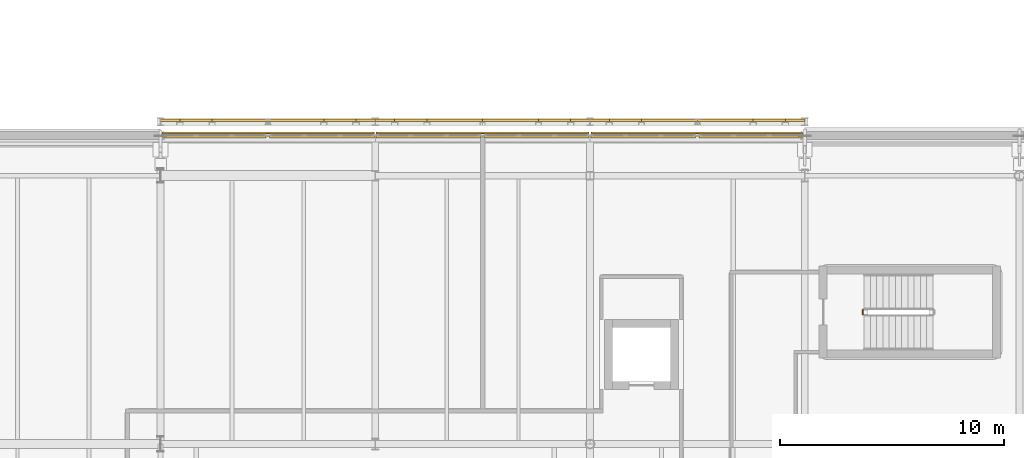
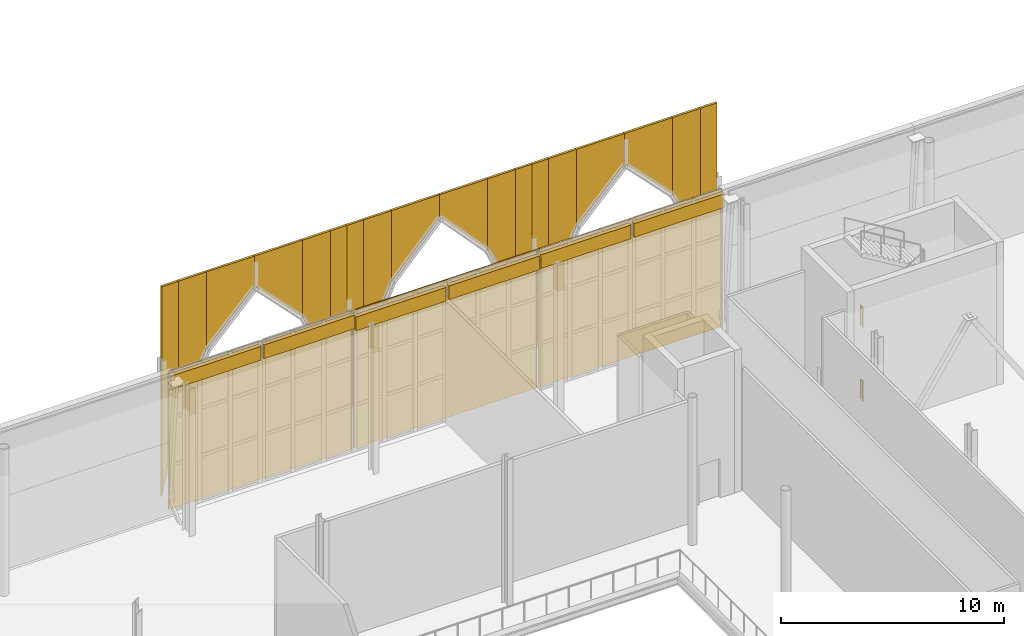
# One storey, part 73 of 79: 24 coverings, 3 shading devices, 2 railings.
"""IFC4 building model written with IfcOpenShell, lengths in metres."""

from ifc_helpers import new_model, si_unit, direction, frame, origin, origin_2d, place, context, subcontext, project, spatial, polyline, rectangle, circle, outline, extrude, material, layer, layer_set, type_object, element, save


model = new_model("IFC4")

# Units and contexts
model_context = context("Model", 3, precision=1e-05, world=origin(), true_north=direction((0.0, 1.0)))
body_context = subcontext(model_context, "Body", "Model", "MODEL_VIEW")
ifc_project = project(units=[si_unit("LENGTHUNIT", "METRE"), si_unit("AREAUNIT", "SQUARE_METRE"), si_unit("VOLUMEUNIT", "CUBIC_METRE"), si_unit("PLANEANGLEUNIT", "RADIAN"), si_unit("MASSUNIT", "GRAM", prefix="KILO")], contexts=[model_context])

# Site, building, storey
site_placement = place(None, origin())
site = spatial("IfcSite", under=ifc_project, at=site_placement, CompositionType="ELEMENT")
building_placement = place(site_placement, origin())
building = spatial("IfcBuilding", under=site, at=building_placement, Name="Zereglee Splitstone Museum", CompositionType="ELEMENT")
storey_placement = place(building_placement, frame((0.0, 0.0, 9.0)))
storey = spatial("IfcBuildingStorey", under=building, at=storey_placement, Name="L02", CompositionType="ELEMENT", Elevation=9.0)

# Coverings
ifc_material_1 = material(Name="Honed Gobi pale limestone stringcourse and soffit cladding", Category="masonry")
ifc_layer_1 = layer(ifc_material_1, 0.070068359375)
ifc_layer_set_1 = layer_set([ifc_layer_1], Name="Honed Gobi pale limestone stringcourse and soffit cladding")
covering_type_1 = type_object("IfcCoveringType", Name="CL-02", PredefinedType="CLADDING", material=ifc_layer_set_1)
for number, where, z_axis, x_axis, name in (
    (1, (123.6201171875, 52.199951171875, 6.764892578125), (0.0, 0.0, 1.0), (-1.0, 0.0, 0.0), "Mughal Carved Clerestory Jaali Frieze RC4-CW-L02-109-1"),
    (2, (118.780029296875, 52.199951171875, 6.7451171875), (0.0, 0.0, 1.0), (-1.0, 0.0, 0.0), "Mughal Carved Clerestory Jaali Frieze RC4-CW-L02-109-2"),
    (3, (114.02001953125, 52.199951171875, 6.705078125), (0.0, 0.0, 1.0), (-1.0, 0.0, 0.0), "Mughal Carved Clerestory Jaali Frieze RC4-CW-L02-110-1"),
    (4, (109.179931640625, 52.199951171875, 6.68505859375), (0.0, 0.0, 1.0), (-1.0, 0.0, 0.0), "Mughal Carved Clerestory Jaali Frieze RC4-CW-L02-110-2"),
    (5, (104.419921875, 52.199951171875, 6.824951171875), (0.0, 0.0, 1.0), (-1.0, 0.0, 0.0), "Mughal Carved Clerestory Jaali Frieze RC4-CW-L02-111-1"),
    (6, (99.580078125, 52.199951171875, 6.804931640625), (0.0, 0.0, 1.0), (-1.0, 0.0, 0.0), "Mughal Carved Clerestory Jaali Frieze RC4-CW-L02-111-2"),
):
    element("IfcCovering", number, at=place(storey_placement, frame(where, z_axis=z_axis, x_axis=x_axis)), inside=storey, type_object=covering_type_1, Name=name, PredefinedType="CLADDING", context=body_context, shape_type="SweptSolid", body=[
        extrude(rectangle(XDim=4.679931640625, YDim=0.239990234375, at=origin_2d()), origin(), (0.0, 0.0, 1.0), 0.75),
    ])
ifc_material_2 = material(Name="Honed Khoroo red sandstone ventilated rainscreen", Category="masonry")
ifc_layer_2 = layer(ifc_material_2, 0.080078125)
ifc_layer_set_2 = layer_set([ifc_layer_2], Name="Honed Khoroo red sandstone ventilated rainscreen")
covering_type_2 = type_object("IfcCoveringType", Name="CL-01", PredefinedType="CLADDING", material=ifc_layer_set_2)
covering_1_placement = place(storey_placement, frame((97.199951171875, 52.93994140625, 12.034912109375), z_axis=(0.0, 1.0, 0.0), x_axis=(1.0, 0.0, 0.0)))
element("IfcCovering", 7, at=covering_1_placement, inside=storey, type_object=covering_type_2, Name="Mughal Pishtaq Pointed-Arch Stone Voussoir PSQ-ATRN-1-1", PredefinedType="CLADDING", context=body_context, shape_type="SweptSolid", body=[
    extrude(outline(polyline([(0.0, 0.0), (0.864013671875, 0.0), (0.864013671875, 7.376953125), (0.0, 11.534912109375), (0.0, 0.0)])), origin(), (0.0, 0.0, -1.0), 0.1201171875),
])
covering_2_placement = place(storey_placement, frame((98.06396484375, 52.93994140625, 12.034912109375), z_axis=(0.0, 1.0, 0.0), x_axis=(1.0, 0.0, 0.0)))
element("IfcCovering", 8, at=covering_2_placement, inside=storey, type_object=covering_type_2, Name="Mughal Pishtaq Pointed-Arch Stone Voussoir PSQ-ATRN-1-2", PredefinedType="CLADDING", context=body_context, shape_type="SweptSolid", body=[
    extrude(outline(polyline([(0.0, 0.0), (1.43994140625, 0.0), (1.43994140625, 4.208984375), (0.0, 7.376953125), (0.0, 0.0)])), origin(), (0.0, 0.0, -1.0), 0.1201171875),
])
covering_3_placement = place(storey_placement, frame((99.50390625, 52.93994140625, 12.034912109375), z_axis=(0.0, 1.0, 0.0), x_axis=(1.0, 0.0, 0.0)))
element("IfcCovering", 9, at=covering_3_placement, inside=storey, type_object=covering_type_2, Name="Mughal Pishtaq Pointed-Arch Stone Voussoir PSQ-ATRN-1-3", PredefinedType="CLADDING", context=body_context, shape_type="SweptSolid", body=[
    extrude(outline(polyline([(0.0, 0.0), (2.49609375, 0.0), (2.49609375, 1.635009765625), (0.0, 4.208984375), (0.0, 0.0)])), origin(), (0.0, 0.0, -1.0), 0.1201171875),
])
covering_4_placement = place(storey_placement, frame((102.0, 52.93994140625, 12.034912109375), z_axis=(0.0, 1.0, 0.0), x_axis=(1.0, 0.0, 0.0)))
element("IfcCovering", 10, at=covering_4_placement, inside=storey, type_object=covering_type_2, Name="Mughal Pishtaq Pointed-Arch Stone Voussoir PSQ-ATRN-1-4", PredefinedType="CLADDING", context=body_context, shape_type="SweptSolid", body=[
    extrude(outline(polyline([(0.0, 0.0), (2.49609375, 0.0), (2.49609375, 4.208984375), (0.0, 1.635009765625), (0.0, 0.0)])), origin(), (0.0, 0.0, -1.0), 0.1201171875),
])
covering_5_placement = place(storey_placement, frame((104.49609375, 52.93994140625, 12.034912109375), z_axis=(0.0, 1.0, 0.0), x_axis=(1.0, 0.0, 0.0)))
element("IfcCovering", 11, at=covering_5_placement, inside=storey, type_object=covering_type_2, Name="Mughal Pishtaq Pointed-Arch Stone Voussoir PSQ-ATRN-1-5", PredefinedType="CLADDING", context=body_context, shape_type="SweptSolid", body=[
    extrude(outline(polyline([(0.0, 0.0), (1.43994140625, 0.0), (1.43994140625, 7.376953125), (0.0, 4.208984375), (0.0, 0.0)])), origin(), (0.0, 0.0, -1.0), 0.1201171875),
])
covering_6_placement = place(storey_placement, frame((105.93603515625, 52.93994140625, 12.034912109375), z_axis=(0.0, 1.0, 0.0), x_axis=(1.0, 0.0, 0.0)))
element("IfcCovering", 12, at=covering_6_placement, inside=storey, type_object=covering_type_2, Name="Mughal Pishtaq Pointed-Arch Stone Voussoir PSQ-ATRN-1-6", PredefinedType="CLADDING", context=body_context, shape_type="SweptSolid", body=[
    extrude(outline(polyline([(0.0, 0.0), (0.864013671875, 0.0), (0.864013671875, 11.534912109375), (0.0, 7.376953125), (0.0, 0.0)])), origin(), (0.0, 0.0, -1.0), 0.1201171875),
])
covering_7_placement = place(storey_placement, frame((106.800048828125, 52.93994140625, 12.034912109375), z_axis=(0.0, 1.0, 0.0), x_axis=(1.0, 0.0, 0.0)))
element("IfcCovering", 13, at=covering_7_placement, inside=storey, type_object=covering_type_2, Name="Mughal Pishtaq Pointed-Arch Stone Voussoir PSQ-ATRN-2-1", PredefinedType="CLADDING", context=body_context, shape_type="SweptSolid", body=[
    extrude(outline(polyline([(0.0, 0.0), (0.864013671875, 0.0), (0.864013671875, 7.18798828125), (0.0, 11.534912109375), (0.0, 0.0)])), origin(), (0.0, 0.0, -1.0), 0.1201171875),
])
covering_8_placement = place(storey_placement, frame((107.6640625, 52.93994140625, 12.034912109375), z_axis=(0.0, 1.0, 0.0), x_axis=(1.0, 0.0, 0.0)))
element("IfcCovering", 14, at=covering_8_placement, inside=storey, type_object=covering_type_2, Name="Mughal Pishtaq Pointed-Arch Stone Voussoir PSQ-ATRN-2-2", PredefinedType="CLADDING", context=body_context, shape_type="SweptSolid", body=[
    extrude(outline(polyline([(0.0, 0.0), (1.43994140625, 0.0), (1.43994140625, 3.8759765625), (0.0, 7.18798828125), (0.0, 0.0)])), origin(), (0.0, 0.0, -1.0), 0.1201171875),
])
covering_9_placement = place(storey_placement, frame((109.10400390625, 52.93994140625, 12.034912109375), z_axis=(0.0, 1.0, 0.0), x_axis=(1.0, 0.0, 0.0)))
element("IfcCovering", 15, at=covering_9_placement, inside=storey, type_object=covering_type_2, Name="Mughal Pishtaq Pointed-Arch Stone Voussoir PSQ-ATRN-2-3", PredefinedType="CLADDING", context=body_context, shape_type="SweptSolid", body=[
    extrude(outline(polyline([(0.0, 0.0), (2.49609375, 0.0), (2.49609375, 1.184814453125), (0.0, 3.8759765625), (0.0, 0.0)])), origin(), (0.0, 0.0, -1.0), 0.1201171875),
])
covering_10_placement = place(storey_placement, frame((111.60009765625, 52.93994140625, 12.034912109375), z_axis=(0.0, 1.0, 0.0), x_axis=(1.0, 0.0, 0.0)))
element("IfcCovering", 16, at=covering_10_placement, inside=storey, type_object=covering_type_2, Name="Mughal Pishtaq Pointed-Arch Stone Voussoir PSQ-ATRN-2-4", PredefinedType="CLADDING", context=body_context, shape_type="SweptSolid", body=[
    extrude(outline(polyline([(0.0, 0.0), (2.495849609375, 0.0), (2.495849609375, 3.8759765625), (0.0, 1.184814453125), (0.0, 0.0)])), origin(), (0.0, 0.0, -1.0), 0.1201171875),
])
covering_11_placement = place(storey_placement, frame((114.095947265625, 52.93994140625, 12.034912109375), z_axis=(0.0, 1.0, 0.0), x_axis=(1.0, 0.0, 0.0)))
element("IfcCovering", 17, at=covering_11_placement, inside=storey, type_object=covering_type_2, Name="Mughal Pishtaq Pointed-Arch Stone Voussoir PSQ-ATRN-2-5", PredefinedType="CLADDING", context=body_context, shape_type="SweptSolid", body=[
    extrude(outline(polyline([(0.0, 0.0), (1.43994140625, 0.0), (1.43994140625, 7.18798828125), (0.0, 3.8759765625), (0.0, 0.0)])), origin(), (0.0, 0.0, -1.0), 0.1201171875),
])
covering_12_placement = place(storey_placement, frame((115.535888671875, 52.93994140625, 12.034912109375), z_axis=(0.0, 1.0, 0.0), x_axis=(1.0, 0.0, 0.0)))
element("IfcCovering", 18, at=covering_12_placement, inside=storey, type_object=covering_type_2, Name="Mughal Pishtaq Pointed-Arch Stone Voussoir PSQ-ATRN-2-6", PredefinedType="CLADDING", context=body_context, shape_type="SweptSolid", body=[
    extrude(outline(polyline([(0.0, 0.0), (0.864013671875, 0.0), (0.864013671875, 11.534912109375), (0.0, 7.18798828125), (0.0, 0.0)])), origin(), (0.0, 0.0, -1.0), 0.1201171875),
])
covering_13_placement = place(storey_placement, frame((116.39990234375, 52.93994140625, 12.034912109375), z_axis=(0.0, 1.0, 0.0), x_axis=(1.0, 0.0, 0.0)))
element("IfcCovering", 19, at=covering_13_placement, inside=storey, type_object=covering_type_2, Name="Mughal Pishtaq Pointed-Arch Stone Voussoir PSQ-ATRN-3-1", PredefinedType="CLADDING", context=body_context, shape_type="SweptSolid", body=[
    extrude(outline(polyline([(0.0, 0.0), (0.864013671875, 0.0), (0.864013671875, 7.376953125), (0.0, 11.534912109375), (0.0, 0.0)])), origin(), (0.0, 0.0, -1.0), 0.1201171875),
])
covering_14_placement = place(storey_placement, frame((117.263916015625, 52.93994140625, 12.034912109375), z_axis=(0.0, 1.0, 0.0), x_axis=(1.0, 0.0, 0.0)))
element("IfcCovering", 20, at=covering_14_placement, inside=storey, type_object=covering_type_2, Name="Mughal Pishtaq Pointed-Arch Stone Voussoir PSQ-ATRN-3-2", PredefinedType="CLADDING", context=body_context, shape_type="SweptSolid", body=[
    extrude(outline(polyline([(0.0, 0.0), (1.440185546875, 0.0), (1.440185546875, 4.208984375), (0.0, 7.376953125), (0.0, 0.0)])), origin(), (0.0, 0.0, -1.0), 0.1201171875),
])
covering_15_placement = place(storey_placement, frame((118.7041015625, 52.93994140625, 12.034912109375), z_axis=(0.0, 1.0, 0.0), x_axis=(1.0, 0.0, 0.0)))
element("IfcCovering", 21, at=covering_15_placement, inside=storey, type_object=covering_type_2, Name="Mughal Pishtaq Pointed-Arch Stone Voussoir PSQ-ATRN-3-3", PredefinedType="CLADDING", context=body_context, shape_type="SweptSolid", body=[
    extrude(outline(polyline([(0.0, 0.0), (2.495849609375, 0.0), (2.495849609375, 1.635009765625), (0.0, 4.208984375), (0.0, 0.0)])), origin(), (0.0, 0.0, -1.0), 0.1201171875),
])
covering_16_placement = place(storey_placement, frame((121.199951171875, 52.93994140625, 12.034912109375), z_axis=(0.0, 1.0, 0.0), x_axis=(1.0, 0.0, 0.0)))
element("IfcCovering", 22, at=covering_16_placement, inside=storey, type_object=covering_type_2, Name="Mughal Pishtaq Pointed-Arch Stone Voussoir PSQ-ATRN-3-4", PredefinedType="CLADDING", context=body_context, shape_type="SweptSolid", body=[
    extrude(outline(polyline([(0.0, 0.0), (2.49609375, 0.0), (2.49609375, 4.208984375), (0.0, 1.635009765625), (0.0, 0.0)])), origin(), (0.0, 0.0, -1.0), 0.1201171875),
])
covering_17_placement = place(storey_placement, frame((123.696044921875, 52.93994140625, 12.034912109375), z_axis=(0.0, 1.0, 0.0), x_axis=(1.0, 0.0, 0.0)))
element("IfcCovering", 23, at=covering_17_placement, inside=storey, type_object=covering_type_2, Name="Mughal Pishtaq Pointed-Arch Stone Voussoir PSQ-ATRN-3-5", PredefinedType="CLADDING", context=body_context, shape_type="SweptSolid", body=[
    extrude(outline(polyline([(0.0, 0.0), (1.43994140625, 0.0), (1.43994140625, 7.376953125), (0.0, 4.208984375), (0.0, 0.0)])), origin(), (0.0, 0.0, -1.0), 0.1201171875),
])
covering_18_placement = place(storey_placement, frame((125.135986328125, 52.93994140625, 12.034912109375), z_axis=(0.0, 1.0, 0.0), x_axis=(1.0, 0.0, 0.0)))
element("IfcCovering", 24, at=covering_18_placement, inside=storey, type_object=covering_type_2, Name="Mughal Pishtaq Pointed-Arch Stone Voussoir PSQ-ATRN-3-6", PredefinedType="CLADDING", context=body_context, shape_type="SweptSolid", body=[
    extrude(outline(polyline([(0.0, 0.0), (0.864013671875, 0.0), (0.864013671875, 11.534912109375), (0.0, 7.376953125), (0.0, 0.0)])), origin(), (0.0, 0.0, -1.0), 0.1201171875),
])

# Railings
ifc_material_3 = material(Name="Painted steel S355J2 post-and-baluster guard", Category="steel")
railing_type = type_object("IfcRailingType", Name="GR-03", PredefinedType="BALUSTRADE", material=ifc_material_3)
for number, where, name in (
    (25, (128.60009765625, 44.199951171875, 4.050048828125), "L02 ST-03 stair guard 4"),
    (26, (128.60009765625, 44.199951171875, 0.0), "L02 ST-03 stair guard 8"),
):
    element("IfcRailing", number, at=place(storey_placement, frame(where)), inside=storey, type_object=railing_type, Name=name, PredefinedType="BALUSTRADE", context=body_context, shape_type="SweptSolid", body=[
        extrude(circle(Radius=0.02392578125, at=origin_2d()), frame((0.0, 0.0, 1.076416015625), z_axis=(0.0, 1.0, 0.0), x_axis=(-1.0, 0.0, 0.0)), (0.0, 0.0, 1.0), 0.199951171875),
        extrude(circle(Radius=0.02099609375, at=origin_2d()), origin(), (0.0, 0.0, 1.0), 1.052001953125),
        extrude(circle(Radius=0.02099609375, at=origin_2d()), frame((0.0, 0.199951171875, 0.0)), (0.0, 0.0, 1.0), 1.052001953125),
    ])

# Shading devices
ifc_material_4 = material(Name="Patinated architectural bronze CuSn8 geometric jali screen")
ifc_layer_3 = layer(ifc_material_4, 0.06005859375)
ifc_layer_set_3 = layer_set([ifc_layer_3], Name="Patinated architectural bronze CuSn8 geometric jali screen")
shading_device_type = type_object("IfcShadingDeviceType", Name="JL-01", PredefinedType="USERDEFINED", material=ifc_layer_set_3)
for number, where, z_axis, x_axis, name in (
    (27, (125.949951171875, 52.280029296875, 0.1201171875), (0.0, 1.0, 0.0), (-1.0, 0.0, 0.0), "Bronze Mughal Jali Screen 26"),
    (28, (116.35009765625, 52.280029296875, 0.1201171875), (0.0, 1.0, 0.0), (-1.0, 0.0, 0.0), "Bronze Mughal Jali Screen 27"),
    (29, (106.75, 52.280029296875, 0.1201171875), (0.0, 1.0, 0.0), (-1.0, 0.0, 0.0), "Bronze Mughal Jali Screen 28"),
):
    element("IfcShadingDevice", number, at=place(storey_placement, frame(where, z_axis=z_axis, x_axis=x_axis)), inside=storey, type_object=shading_device_type, Name=name, ObjectType="SCREEN", PredefinedType="USERDEFINED", context=body_context, shape_type="SweptSolid", body=[
        extrude(outline(polyline([(0.0, 0.0), (9.5, 0.0), (9.5, 7.559814453125), (0.0, 7.559814453125), (0.0, 0.0)])), origin(), (0.0, 0.0, 1.0), 0.06005859375),
    ])

save(model, "model.ifc")
